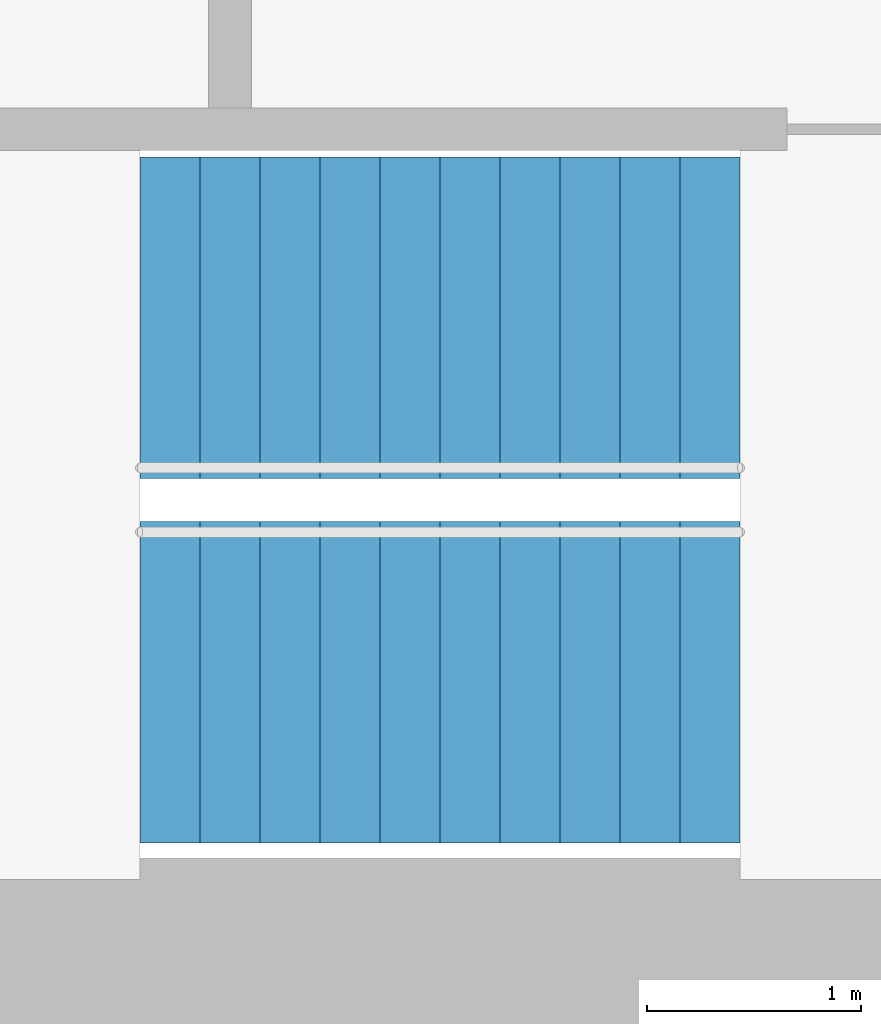
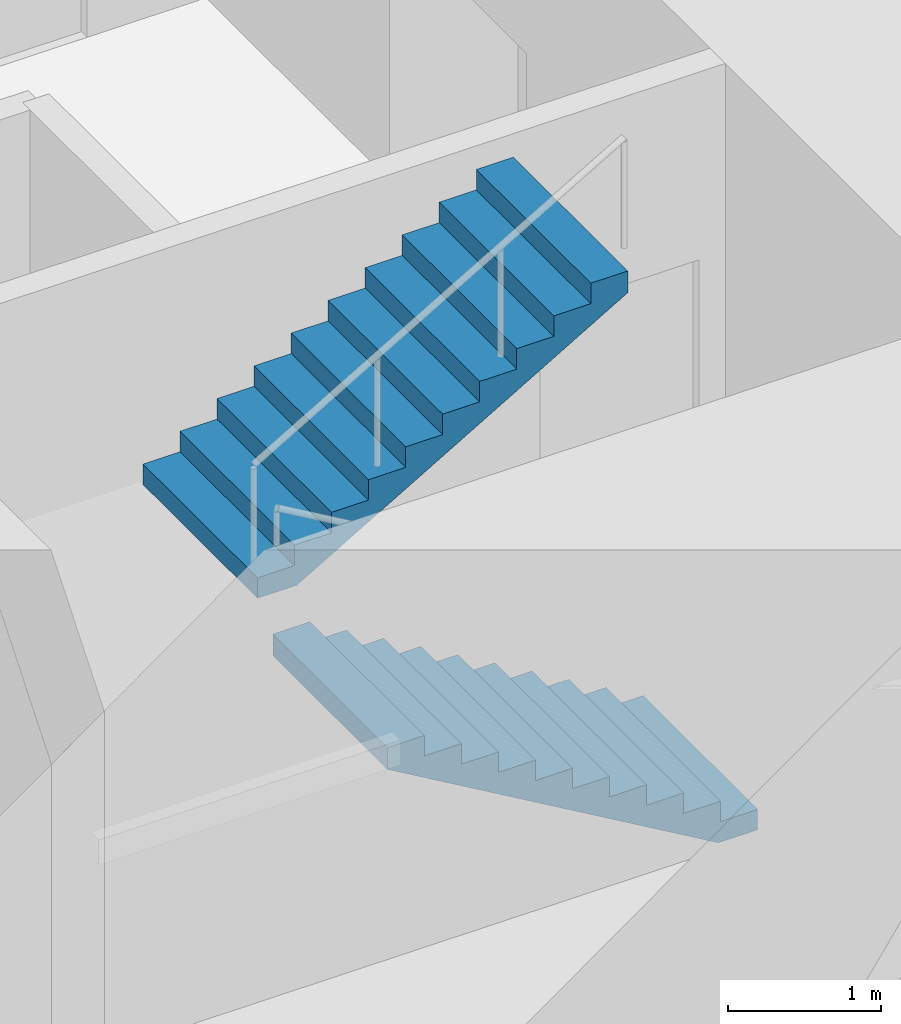
# One storey, part 14 of 15: 2 stair flights, 1 element without a shape of its own.
"""IFC4 building model written with IfcOpenShell, lengths in metres."""

from ifc_helpers import new_model, si_unit, direction, frame, origin, place, context, subcontext, project, spatial, triangles, material, type_object, element, aggregate, save


model = new_model("IFC4")

# Units and contexts
model_context = context("Model", 3, precision=1e-05, world=origin(), true_north=direction((0.0, 1.0)))
body_context = subcontext(model_context, "Body", "Model", "MODEL_VIEW")
ifc_project = project(units=[si_unit("LENGTHUNIT", "METRE"), si_unit("AREAUNIT", "SQUARE_METRE"), si_unit("VOLUMEUNIT", "CUBIC_METRE"), si_unit("PLANEANGLEUNIT", "RADIAN"), si_unit("MASSUNIT", "GRAM", prefix="KILO")], contexts=[model_context])

# Site, building, storey
site_placement = place(None, origin())
site = spatial("IfcSite", under=ifc_project, at=site_placement, CompositionType="ELEMENT")
building_placement = place(site_placement, origin())
building = spatial("IfcBuilding", under=site, at=building_placement, Name="Lantaw Convention Tower", CompositionType="ELEMENT")
storey_placement = place(building_placement, frame((0.0, 0.0, 51.39990234375)))
storey = spatial("IfcBuildingStorey", under=building, at=storey_placement, Name="L10", CompositionType="ELEMENT", Elevation=51.39990234375)

# Stair, stair flights
ifc_material = material(Name="Concrete C35/45", Category="concrete")
stair_type = type_object("IfcStairType", Name="Exit stair 1500 riser 163.64 in 2 flights", PredefinedType="HALF_TURN_STAIR", material=ifc_material)
stair_placement = place(storey_placement, origin())
stair = element("IfcStair", 1, at=stair_placement, inside=storey, type_object=stair_type, Name="Exit stair S2 L10", PredefinedType="HALF_TURN_STAIR")
stair_flight_type = type_object("IfcStairFlightType", Name="Stair flight 1500 riser 163.64", PredefinedType="STRAIGHT", material=ifc_material)
stair_flight_1_placement = place(storey_placement, frame((10.580078125, -5.97998046875, 0.0), z_axis=(0.0, 0.0, 1.0), x_axis=(-1.0, 0.0, 0.0)))
stair_flight_1 = element("IfcStairFlight", 2, at=stair_flight_1_placement, type_object=stair_flight_type, Name="S2 flight 1", NumberOfRisers=11, NumberOfTreads=10, PredefinedType="STRAIGHT", RiserHeight=0.163636364, TreadLength=0.28, context=body_context, shape_type="Tessellation", body=[
    triangles([(0.0, 0.75, 0.0), (0.0, 0.75, 0.163636364), (0.28, 0.75, 0.0), (0.28, 0.75, 0.163636364), (0.28, 0.75, 0.327272728), (0.2970904571225277, 0.75, 0.0), (0.2970904571225277, 0.75, 0.327272728), (0.56, 0.75, 0.1536484344906131), (0.56, 0.75, 0.327272728), (0.56, 0.75, 0.490909092), (0.8400000000000001, 0.75, 0.3172847984906131), (0.8400000000000001, 0.75, 0.490909092), (0.8400000000000001, 0.75, 0.654545456), (1.12, 0.75, 0.4809211624906131), (1.12, 0.75, 0.654545456), (1.12, 0.75, 0.8181818200000001), (1.4000000000000001, 0.75, 0.6445575264906132), (1.4000000000000001, 0.75, 0.8181818200000001), (1.4000000000000001, 0.75, 0.981818184), (1.6800000000000002, 0.75, 0.8081938904906131), (1.6800000000000002, 0.75, 0.981818184), (1.6800000000000002, 0.75, 1.145454548), (1.9600000000000002, 0.75, 0.9718302544906131), (1.9600000000000002, 0.75, 1.145454548), (1.9600000000000002, 0.75, 1.309090912), (2.24, 0.75, 1.135466618490613), (2.24, 0.75, 1.309090912), (2.24, 0.75, 1.472727276), (2.5200000000000005, 0.75, 1.2991029824906133), (2.5200000000000005, 0.75, 1.472727276), (2.5200000000000005, 0.75, 1.6363636400000001), (2.8000000000000003, 0.75, 1.462739346490613), (2.8000000000000003, 0.75, 1.6363636400000001), (0.0, -0.75, 0.0), (0.0, -0.75, 0.163636364), (0.28, -0.75, 0.0), (0.28, -0.75, 0.163636364), (0.28, -0.75, 0.327272728), (0.2970904571225277, -0.75, 0.0), (0.2970904571225277, -0.75, 0.327272728), (0.56, -0.75, 0.1536484344906131), (0.56, -0.75, 0.327272728), (0.56, -0.75, 0.490909092), (0.8400000000000001, -0.75, 0.3172847984906131), (0.8400000000000001, -0.75, 0.490909092), (0.8400000000000001, -0.75, 0.654545456), (1.12, -0.75, 0.4809211624906131), (1.12, -0.75, 0.654545456), (1.12, -0.75, 0.8181818200000001), (1.4000000000000001, -0.75, 0.6445575264906132), (1.4000000000000001, -0.75, 0.8181818200000001), (1.4000000000000001, -0.75, 0.981818184), (1.6800000000000002, -0.75, 0.8081938904906131), (1.6800000000000002, -0.75, 0.981818184), (1.6800000000000002, -0.75, 1.145454548), (1.9600000000000002, -0.75, 0.9718302544906131), (1.9600000000000002, -0.75, 1.145454548), (1.9600000000000002, -0.75, 1.309090912), (2.24, -0.75, 1.135466618490613), (2.24, -0.75, 1.309090912), (2.24, -0.75, 1.472727276), (2.5200000000000005, -0.75, 1.2991029824906133), (2.5200000000000005, -0.75, 1.472727276), (2.5200000000000005, -0.75, 1.6363636400000001), (2.8000000000000003, -0.75, 1.462739346490613), (2.8000000000000003, -0.75, 1.6363636400000001), (0.0, 0.15000000000000002, 0.163636364), (0.0, 0.15000000000000002, 0.0), (0.0, 0.0, 0.163636364), (0.0, 0.0, 0.0), (0.0, -0.15000000000000002, 0.163636364), (0.0, -0.15000000000000002, 0.0), (0.28, 0.15000000000000002, 0.327272728), (0.28, 0.15000000000000002, 0.163636364), (0.28, 0.0, 0.327272728), (0.28, 0.0, 0.163636364), (0.28, -0.15000000000000002, 0.327272728), (0.28, -0.15000000000000002, 0.163636364), (0.56, 0.15000000000000002, 0.490909092), (0.56, 0.15000000000000002, 0.327272728), (0.56, 0.0, 0.490909092), (0.56, 0.0, 0.327272728), (0.56, -0.15000000000000002, 0.490909092), (0.56, -0.15000000000000002, 0.327272728), (0.8400000000000001, 0.15000000000000002, 0.654545456), (0.8400000000000001, 0.15000000000000002, 0.490909092), (0.8400000000000001, 0.0, 0.654545456), (0.8400000000000001, 0.0, 0.490909092), (0.8400000000000001, -0.15000000000000002, 0.654545456), (0.8400000000000001, -0.15000000000000002, 0.490909092), (1.12, 0.15000000000000002, 0.8181818200000001), (1.12, 0.15000000000000002, 0.654545456), (1.12, 0.0, 0.8181818200000001), (1.12, 0.0, 0.654545456), (1.12, -0.15000000000000002, 0.8181818200000001), (1.12, -0.15000000000000002, 0.654545456), (1.4000000000000001, 0.15000000000000002, 0.981818184), (1.4000000000000001, 0.15000000000000002, 0.8181818200000001), (1.4000000000000001, 0.0, 0.981818184), (1.4000000000000001, 0.0, 0.8181818200000001), (1.4000000000000001, -0.15000000000000002, 0.981818184), (1.4000000000000001, -0.15000000000000002, 0.8181818200000001), (1.6800000000000002, 0.15000000000000002, 1.145454548), (1.6800000000000002, 0.15000000000000002, 0.981818184), (1.6800000000000002, 0.0, 1.145454548), (1.6800000000000002, 0.0, 0.981818184), (1.6800000000000002, -0.15000000000000002, 1.145454548), (1.6800000000000002, -0.15000000000000002, 0.981818184), (1.9600000000000002, 0.15000000000000002, 1.309090912), (1.9600000000000002, 0.15000000000000002, 1.145454548), (1.9600000000000002, 0.0, 1.309090912), (1.9600000000000002, 0.0, 1.145454548), (1.9600000000000002, -0.15000000000000002, 1.309090912), (1.9600000000000002, -0.15000000000000002, 1.145454548), (2.24, 0.15000000000000002, 1.472727276), (2.24, 0.15000000000000002, 1.309090912), (2.24, 0.0, 1.472727276), (2.24, 0.0, 1.309090912), (2.24, -0.15000000000000002, 1.472727276), (2.24, -0.15000000000000002, 1.309090912), (2.5200000000000005, 0.15000000000000002, 1.6363636400000001), (2.5200000000000005, 0.15000000000000002, 1.472727276), (2.5200000000000005, 0.0, 1.6363636400000001), (2.5200000000000005, 0.0, 1.472727276), (2.5200000000000005, -0.15000000000000002, 1.6363636400000001), (2.5200000000000005, -0.15000000000000002, 1.472727276), (0.2970904571225277, 0.15000000000000002, 0.327272728), (0.2970904571225277, 0.0, 0.327272728), (0.2970904571225277, -0.15000000000000002, 0.327272728), (2.8000000000000003, 0.15000000000000002, 1.6363636400000001), (2.8000000000000003, 0.0, 1.6363636400000001), (2.8000000000000003, -0.15000000000000002, 1.6363636400000001), (2.8000000000000003, 0.15000000000000002, 1.462739346490613), (2.8000000000000003, 0.0, 1.462739346490613), (2.8000000000000003, -0.15000000000000002, 1.462739346490613), (2.5200000000000005, 0.15000000000000002, 1.2991029824906133), (2.5200000000000005, 0.0, 1.2991029824906133), (2.5200000000000005, -0.15000000000000002, 1.2991029824906133), (2.24, 0.15000000000000002, 1.135466618490613), (2.24, 0.0, 1.135466618490613), (2.24, -0.15000000000000002, 1.135466618490613), (1.9600000000000002, 0.15000000000000002, 0.9718302544906131), (1.9600000000000002, 0.0, 0.9718302544906131), (1.9600000000000002, -0.15000000000000002, 0.9718302544906131), (1.6800000000000002, 0.15000000000000002, 0.8081938904906131), (1.6800000000000002, 0.0, 0.8081938904906131), (1.6800000000000002, -0.15000000000000002, 0.8081938904906131), (1.4000000000000001, 0.15000000000000002, 0.6445575264906132), (1.4000000000000001, 0.0, 0.6445575264906132), (1.4000000000000001, -0.15000000000000002, 0.6445575264906132), (1.12, 0.15000000000000002, 0.4809211624906131), (1.12, 0.0, 0.4809211624906131), (1.12, -0.15000000000000002, 0.4809211624906131), (0.8400000000000001, 0.15000000000000002, 0.3172847984906131), (0.8400000000000001, 0.0, 0.3172847984906131), (0.8400000000000001, -0.15000000000000002, 0.3172847984906131), (0.56, 0.15000000000000002, 0.1536484344906131), (0.56, 0.0, 0.1536484344906131), (0.56, -0.15000000000000002, 0.1536484344906131), (0.2970904571225277, 0.15000000000000002, 0.0), (0.2970904571225277, 0.0, 0.0), (0.2970904571225277, -0.15000000000000002, 0.0), (0.28, 0.15000000000000002, 0.0), (0.28, 0.0, 0.0), (0.28, -0.15000000000000002, 0.0)], [[1, 4, 3], [1, 2, 4], [3, 4, 6], [4, 7, 6], [4, 5, 7], [6, 9, 8], [6, 7, 9], [8, 9, 11], [9, 12, 11], [9, 10, 12], [11, 12, 14], [12, 15, 14], [12, 13, 15], [14, 15, 17], [15, 18, 17], [15, 16, 18], [17, 18, 20], [18, 21, 20], [18, 19, 21], [20, 21, 23], [21, 24, 23], [21, 22, 24], [23, 24, 26], [24, 27, 26], [24, 25, 27], [26, 27, 29], [27, 30, 29], [27, 28, 30], [29, 30, 32], [30, 33, 32], [30, 31, 33], [34, 36, 37], [34, 37, 35], [36, 39, 37], [37, 39, 40], [37, 40, 38], [39, 41, 42], [39, 42, 40], [41, 44, 42], [42, 44, 45], [42, 45, 43], [44, 47, 45], [45, 47, 48], [45, 48, 46], [47, 50, 48], [48, 50, 51], [48, 51, 49], [50, 53, 51], [51, 53, 54], [51, 54, 52], [53, 56, 54], [54, 56, 57], [54, 57, 55], [56, 59, 57], [57, 59, 60], [57, 60, 58], [59, 62, 60], [60, 62, 63], [60, 63, 61], [62, 65, 63], [63, 65, 66], [63, 66, 64], [1, 67, 2], [1, 68, 67], [68, 69, 67], [68, 70, 69], [70, 71, 69], [70, 72, 71], [72, 35, 71], [72, 34, 35], [4, 73, 5], [4, 74, 73], [74, 75, 73], [74, 76, 75], [76, 77, 75], [76, 78, 77], [78, 38, 77], [78, 37, 38], [9, 79, 10], [9, 80, 79], [80, 81, 79], [80, 82, 81], [82, 83, 81], [82, 84, 83], [84, 43, 83], [84, 42, 43], [12, 85, 13], [12, 86, 85], [86, 87, 85], [86, 88, 87], [88, 89, 87], [88, 90, 89], [90, 46, 89], [90, 45, 46], [15, 91, 16], [15, 92, 91], [92, 93, 91], [92, 94, 93], [94, 95, 93], [94, 96, 95], [96, 49, 95], [96, 48, 49], [18, 97, 19], [18, 98, 97], [98, 99, 97], [98, 100, 99], [100, 101, 99], [100, 102, 101], [102, 52, 101], [102, 51, 52], [21, 103, 22], [21, 104, 103], [104, 105, 103], [104, 106, 105], [106, 107, 105], [106, 108, 107], [108, 55, 107], [108, 54, 55], [24, 109, 25], [24, 110, 109], [110, 111, 109], [110, 112, 111], [112, 113, 111], [112, 114, 113], [114, 58, 113], [114, 57, 58], [27, 115, 28], [27, 116, 115], [116, 117, 115], [116, 118, 117], [118, 119, 117], [118, 120, 119], [120, 61, 119], [120, 60, 61], [30, 121, 31], [30, 122, 121], [122, 123, 121], [122, 124, 123], [124, 125, 123], [124, 126, 125], [126, 64, 125], [126, 63, 64], [2, 74, 4], [2, 67, 74], [67, 76, 74], [67, 69, 76], [69, 78, 76], [69, 71, 78], [71, 37, 78], [71, 35, 37], [5, 127, 7], [5, 73, 127], [73, 128, 127], [73, 75, 128], [75, 129, 128], [75, 77, 129], [77, 40, 129], [77, 38, 40], [7, 80, 9], [7, 127, 80], [127, 82, 80], [127, 128, 82], [128, 84, 82], [128, 129, 84], [129, 42, 84], [129, 40, 42], [10, 86, 12], [10, 79, 86], [79, 88, 86], [79, 81, 88], [81, 90, 88], [81, 83, 90], [83, 45, 90], [83, 43, 45], [13, 92, 15], [13, 85, 92], [85, 94, 92], [85, 87, 94], [87, 96, 94], [87, 89, 96], [89, 48, 96], [89, 46, 48], [16, 98, 18], [16, 91, 98], [91, 100, 98], [91, 93, 100], [93, 102, 100], [93, 95, 102], [95, 51, 102], [95, 49, 51], [19, 104, 21], [19, 97, 104], [97, 106, 104], [97, 99, 106], [99, 108, 106], [99, 101, 108], [101, 54, 108], [101, 52, 54], [22, 110, 24], [22, 103, 110], [103, 112, 110], [103, 105, 112], [105, 114, 112], [105, 107, 114], [107, 57, 114], [107, 55, 57], [25, 116, 27], [25, 109, 116], [109, 118, 116], [109, 111, 118], [111, 120, 118], [111, 113, 120], [113, 60, 120], [113, 58, 60], [28, 122, 30], [28, 115, 122], [115, 124, 122], [115, 117, 124], [117, 126, 124], [117, 119, 126], [119, 63, 126], [119, 61, 63], [31, 130, 33], [31, 121, 130], [121, 131, 130], [121, 123, 131], [123, 132, 131], [123, 125, 132], [125, 66, 132], [125, 64, 66], [33, 133, 32], [33, 130, 133], [130, 134, 133], [130, 131, 134], [131, 135, 134], [131, 132, 135], [132, 65, 135], [132, 66, 65], [32, 136, 29], [32, 133, 136], [133, 137, 136], [133, 134, 137], [134, 138, 137], [134, 135, 138], [135, 62, 138], [135, 65, 62], [29, 139, 26], [29, 136, 139], [136, 140, 139], [136, 137, 140], [137, 141, 140], [137, 138, 141], [138, 59, 141], [138, 62, 59], [26, 142, 23], [26, 139, 142], [139, 143, 142], [139, 140, 143], [140, 144, 143], [140, 141, 144], [141, 56, 144], [141, 59, 56], [23, 145, 20], [23, 142, 145], [142, 146, 145], [142, 143, 146], [143, 147, 146], [143, 144, 147], [144, 53, 147], [144, 56, 53], [20, 148, 17], [20, 145, 148], [145, 149, 148], [145, 146, 149], [146, 150, 149], [146, 147, 150], [147, 50, 150], [147, 53, 50], [17, 151, 14], [17, 148, 151], [148, 152, 151], [148, 149, 152], [149, 153, 152], [149, 150, 153], [150, 47, 153], [150, 50, 47], [14, 154, 11], [14, 151, 154], [151, 155, 154], [151, 152, 155], [152, 156, 155], [152, 153, 156], [153, 44, 156], [153, 47, 44], [11, 157, 8], [11, 154, 157], [154, 158, 157], [154, 155, 158], [155, 159, 158], [155, 156, 159], [156, 41, 159], [156, 44, 41], [8, 160, 6], [8, 157, 160], [157, 161, 160], [157, 158, 161], [158, 162, 161], [158, 159, 162], [159, 39, 162], [159, 41, 39], [6, 163, 3], [6, 160, 163], [160, 164, 163], [160, 161, 164], [161, 165, 164], [161, 162, 165], [162, 36, 165], [162, 39, 36], [3, 68, 1], [3, 163, 68], [163, 70, 68], [163, 164, 70], [164, 72, 70], [164, 165, 72], [165, 34, 72], [165, 36, 34]], closed=True),
])
stair_flight_2_placement = place(storey_placement, frame((7.780029296875, -4.280029296875, 1.800048828125), z_axis=(0.0, 0.0, 1.0), x_axis=(1.0, 0.0, 0.0)))
stair_flight_2 = element("IfcStairFlight", 3, at=stair_flight_2_placement, type_object=stair_flight_type, Name="S2 flight 2", NumberOfRisers=11, NumberOfTreads=10, PredefinedType="STRAIGHT", RiserHeight=0.163636364, TreadLength=0.28, context=body_context, shape_type="Tessellation", body=[
    triangles([(0.0, 0.75, 0.0), (0.0, 0.75, 0.163636364), (0.28, 0.75, 0.0), (0.28, 0.75, 0.163636364), (0.28, 0.75, 0.327272728), (0.2970904571225277, 0.75, 0.0), (0.2970904571225277, 0.75, 0.327272728), (0.56, 0.75, 0.1536484344906131), (0.56, 0.75, 0.327272728), (0.56, 0.75, 0.490909092), (0.8400000000000001, 0.75, 0.3172847984906131), (0.8400000000000001, 0.75, 0.490909092), (0.8400000000000001, 0.75, 0.654545456), (1.12, 0.75, 0.4809211624906131), (1.12, 0.75, 0.654545456), (1.12, 0.75, 0.8181818200000001), (1.4000000000000001, 0.75, 0.6445575264906132), (1.4000000000000001, 0.75, 0.8181818200000001), (1.4000000000000001, 0.75, 0.981818184), (1.6800000000000002, 0.75, 0.8081938904906131), (1.6800000000000002, 0.75, 0.981818184), (1.6800000000000002, 0.75, 1.145454548), (1.9600000000000002, 0.75, 0.9718302544906131), (1.9600000000000002, 0.75, 1.145454548), (1.9600000000000002, 0.75, 1.309090912), (2.24, 0.75, 1.135466618490613), (2.24, 0.75, 1.309090912), (2.24, 0.75, 1.472727276), (2.5200000000000005, 0.75, 1.2991029824906133), (2.5200000000000005, 0.75, 1.472727276), (2.5200000000000005, 0.75, 1.6363636400000001), (2.8000000000000003, 0.75, 1.462739346490613), (2.8000000000000003, 0.75, 1.6363636400000001), (0.0, -0.75, 0.0), (0.0, -0.75, 0.163636364), (0.28, -0.75, 0.0), (0.28, -0.75, 0.163636364), (0.28, -0.75, 0.327272728), (0.2970904571225277, -0.75, 0.0), (0.2970904571225277, -0.75, 0.327272728), (0.56, -0.75, 0.1536484344906131), (0.56, -0.75, 0.327272728), (0.56, -0.75, 0.490909092), (0.8400000000000001, -0.75, 0.3172847984906131), (0.8400000000000001, -0.75, 0.490909092), (0.8400000000000001, -0.75, 0.654545456), (1.12, -0.75, 0.4809211624906131), (1.12, -0.75, 0.654545456), (1.12, -0.75, 0.8181818200000001), (1.4000000000000001, -0.75, 0.6445575264906132), (1.4000000000000001, -0.75, 0.8181818200000001), (1.4000000000000001, -0.75, 0.981818184), (1.6800000000000002, -0.75, 0.8081938904906131), (1.6800000000000002, -0.75, 0.981818184), (1.6800000000000002, -0.75, 1.145454548), (1.9600000000000002, -0.75, 0.9718302544906131), (1.9600000000000002, -0.75, 1.145454548), (1.9600000000000002, -0.75, 1.309090912), (2.24, -0.75, 1.135466618490613), (2.24, -0.75, 1.309090912), (2.24, -0.75, 1.472727276), (2.5200000000000005, -0.75, 1.2991029824906133), (2.5200000000000005, -0.75, 1.472727276), (2.5200000000000005, -0.75, 1.6363636400000001), (2.8000000000000003, -0.75, 1.462739346490613), (2.8000000000000003, -0.75, 1.6363636400000001), (0.0, 0.15000000000000002, 0.163636364), (0.0, 0.15000000000000002, 0.0), (0.0, 0.0, 0.163636364), (0.0, 0.0, 0.0), (0.0, -0.15000000000000002, 0.163636364), (0.0, -0.15000000000000002, 0.0), (0.28, 0.15000000000000002, 0.327272728), (0.28, 0.15000000000000002, 0.163636364), (0.28, 0.0, 0.327272728), (0.28, 0.0, 0.163636364), (0.28, -0.15000000000000002, 0.327272728), (0.28, -0.15000000000000002, 0.163636364), (0.56, 0.15000000000000002, 0.490909092), (0.56, 0.15000000000000002, 0.327272728), (0.56, 0.0, 0.490909092), (0.56, 0.0, 0.327272728), (0.56, -0.15000000000000002, 0.490909092), (0.56, -0.15000000000000002, 0.327272728), (0.8400000000000001, 0.15000000000000002, 0.654545456), (0.8400000000000001, 0.15000000000000002, 0.490909092), (0.8400000000000001, 0.0, 0.654545456), (0.8400000000000001, 0.0, 0.490909092), (0.8400000000000001, -0.15000000000000002, 0.654545456), (0.8400000000000001, -0.15000000000000002, 0.490909092), (1.12, 0.15000000000000002, 0.8181818200000001), (1.12, 0.15000000000000002, 0.654545456), (1.12, 0.0, 0.8181818200000001), (1.12, 0.0, 0.654545456), (1.12, -0.15000000000000002, 0.8181818200000001), (1.12, -0.15000000000000002, 0.654545456), (1.4000000000000001, 0.15000000000000002, 0.981818184), (1.4000000000000001, 0.15000000000000002, 0.8181818200000001), (1.4000000000000001, 0.0, 0.981818184), (1.4000000000000001, 0.0, 0.8181818200000001), (1.4000000000000001, -0.15000000000000002, 0.981818184), (1.4000000000000001, -0.15000000000000002, 0.8181818200000001), (1.6800000000000002, 0.15000000000000002, 1.145454548), (1.6800000000000002, 0.15000000000000002, 0.981818184), (1.6800000000000002, 0.0, 1.145454548), (1.6800000000000002, 0.0, 0.981818184), (1.6800000000000002, -0.15000000000000002, 1.145454548), (1.6800000000000002, -0.15000000000000002, 0.981818184), (1.9600000000000002, 0.15000000000000002, 1.309090912), (1.9600000000000002, 0.15000000000000002, 1.145454548), (1.9600000000000002, 0.0, 1.309090912), (1.9600000000000002, 0.0, 1.145454548), (1.9600000000000002, -0.15000000000000002, 1.309090912), (1.9600000000000002, -0.15000000000000002, 1.145454548), (2.24, 0.15000000000000002, 1.472727276), (2.24, 0.15000000000000002, 1.309090912), (2.24, 0.0, 1.472727276), (2.24, 0.0, 1.309090912), (2.24, -0.15000000000000002, 1.472727276), (2.24, -0.15000000000000002, 1.309090912), (2.5200000000000005, 0.15000000000000002, 1.6363636400000001), (2.5200000000000005, 0.15000000000000002, 1.472727276), (2.5200000000000005, 0.0, 1.6363636400000001), (2.5200000000000005, 0.0, 1.472727276), (2.5200000000000005, -0.15000000000000002, 1.6363636400000001), (2.5200000000000005, -0.15000000000000002, 1.472727276), (0.2970904571225277, 0.15000000000000002, 0.327272728), (0.2970904571225277, 0.0, 0.327272728), (0.2970904571225277, -0.15000000000000002, 0.327272728), (2.8000000000000003, 0.15000000000000002, 1.6363636400000001), (2.8000000000000003, 0.0, 1.6363636400000001), (2.8000000000000003, -0.15000000000000002, 1.6363636400000001), (2.8000000000000003, 0.15000000000000002, 1.462739346490613), (2.8000000000000003, 0.0, 1.462739346490613), (2.8000000000000003, -0.15000000000000002, 1.462739346490613), (2.5200000000000005, 0.15000000000000002, 1.2991029824906133), (2.5200000000000005, 0.0, 1.2991029824906133), (2.5200000000000005, -0.15000000000000002, 1.2991029824906133), (2.24, 0.15000000000000002, 1.135466618490613), (2.24, 0.0, 1.135466618490613), (2.24, -0.15000000000000002, 1.135466618490613), (1.9600000000000002, 0.15000000000000002, 0.9718302544906131), (1.9600000000000002, 0.0, 0.9718302544906131), (1.9600000000000002, -0.15000000000000002, 0.9718302544906131), (1.6800000000000002, 0.15000000000000002, 0.8081938904906131), (1.6800000000000002, 0.0, 0.8081938904906131), (1.6800000000000002, -0.15000000000000002, 0.8081938904906131), (1.4000000000000001, 0.15000000000000002, 0.6445575264906132), (1.4000000000000001, 0.0, 0.6445575264906132), (1.4000000000000001, -0.15000000000000002, 0.6445575264906132), (1.12, 0.15000000000000002, 0.4809211624906131), (1.12, 0.0, 0.4809211624906131), (1.12, -0.15000000000000002, 0.4809211624906131), (0.8400000000000001, 0.15000000000000002, 0.3172847984906131), (0.8400000000000001, 0.0, 0.3172847984906131), (0.8400000000000001, -0.15000000000000002, 0.3172847984906131), (0.56, 0.15000000000000002, 0.1536484344906131), (0.56, 0.0, 0.1536484344906131), (0.56, -0.15000000000000002, 0.1536484344906131), (0.2970904571225277, 0.15000000000000002, 0.0), (0.2970904571225277, 0.0, 0.0), (0.2970904571225277, -0.15000000000000002, 0.0), (0.28, 0.15000000000000002, 0.0), (0.28, 0.0, 0.0), (0.28, -0.15000000000000002, 0.0)], [[1, 4, 3], [1, 2, 4], [3, 4, 6], [4, 7, 6], [4, 5, 7], [6, 9, 8], [6, 7, 9], [8, 9, 11], [9, 12, 11], [9, 10, 12], [11, 12, 14], [12, 15, 14], [12, 13, 15], [14, 15, 17], [15, 18, 17], [15, 16, 18], [17, 18, 20], [18, 21, 20], [18, 19, 21], [20, 21, 23], [21, 24, 23], [21, 22, 24], [23, 24, 26], [24, 27, 26], [24, 25, 27], [26, 27, 29], [27, 30, 29], [27, 28, 30], [29, 30, 32], [30, 33, 32], [30, 31, 33], [34, 36, 37], [34, 37, 35], [36, 39, 37], [37, 39, 40], [37, 40, 38], [39, 41, 42], [39, 42, 40], [41, 44, 42], [42, 44, 45], [42, 45, 43], [44, 47, 45], [45, 47, 48], [45, 48, 46], [47, 50, 48], [48, 50, 51], [48, 51, 49], [50, 53, 51], [51, 53, 54], [51, 54, 52], [53, 56, 54], [54, 56, 57], [54, 57, 55], [56, 59, 57], [57, 59, 60], [57, 60, 58], [59, 62, 60], [60, 62, 63], [60, 63, 61], [62, 65, 63], [63, 65, 66], [63, 66, 64], [1, 67, 2], [1, 68, 67], [68, 69, 67], [68, 70, 69], [70, 71, 69], [70, 72, 71], [72, 35, 71], [72, 34, 35], [4, 73, 5], [4, 74, 73], [74, 75, 73], [74, 76, 75], [76, 77, 75], [76, 78, 77], [78, 38, 77], [78, 37, 38], [9, 79, 10], [9, 80, 79], [80, 81, 79], [80, 82, 81], [82, 83, 81], [82, 84, 83], [84, 43, 83], [84, 42, 43], [12, 85, 13], [12, 86, 85], [86, 87, 85], [86, 88, 87], [88, 89, 87], [88, 90, 89], [90, 46, 89], [90, 45, 46], [15, 91, 16], [15, 92, 91], [92, 93, 91], [92, 94, 93], [94, 95, 93], [94, 96, 95], [96, 49, 95], [96, 48, 49], [18, 97, 19], [18, 98, 97], [98, 99, 97], [98, 100, 99], [100, 101, 99], [100, 102, 101], [102, 52, 101], [102, 51, 52], [21, 103, 22], [21, 104, 103], [104, 105, 103], [104, 106, 105], [106, 107, 105], [106, 108, 107], [108, 55, 107], [108, 54, 55], [24, 109, 25], [24, 110, 109], [110, 111, 109], [110, 112, 111], [112, 113, 111], [112, 114, 113], [114, 58, 113], [114, 57, 58], [27, 115, 28], [27, 116, 115], [116, 117, 115], [116, 118, 117], [118, 119, 117], [118, 120, 119], [120, 61, 119], [120, 60, 61], [30, 121, 31], [30, 122, 121], [122, 123, 121], [122, 124, 123], [124, 125, 123], [124, 126, 125], [126, 64, 125], [126, 63, 64], [2, 74, 4], [2, 67, 74], [67, 76, 74], [67, 69, 76], [69, 78, 76], [69, 71, 78], [71, 37, 78], [71, 35, 37], [5, 127, 7], [5, 73, 127], [73, 128, 127], [73, 75, 128], [75, 129, 128], [75, 77, 129], [77, 40, 129], [77, 38, 40], [7, 80, 9], [7, 127, 80], [127, 82, 80], [127, 128, 82], [128, 84, 82], [128, 129, 84], [129, 42, 84], [129, 40, 42], [10, 86, 12], [10, 79, 86], [79, 88, 86], [79, 81, 88], [81, 90, 88], [81, 83, 90], [83, 45, 90], [83, 43, 45], [13, 92, 15], [13, 85, 92], [85, 94, 92], [85, 87, 94], [87, 96, 94], [87, 89, 96], [89, 48, 96], [89, 46, 48], [16, 98, 18], [16, 91, 98], [91, 100, 98], [91, 93, 100], [93, 102, 100], [93, 95, 102], [95, 51, 102], [95, 49, 51], [19, 104, 21], [19, 97, 104], [97, 106, 104], [97, 99, 106], [99, 108, 106], [99, 101, 108], [101, 54, 108], [101, 52, 54], [22, 110, 24], [22, 103, 110], [103, 112, 110], [103, 105, 112], [105, 114, 112], [105, 107, 114], [107, 57, 114], [107, 55, 57], [25, 116, 27], [25, 109, 116], [109, 118, 116], [109, 111, 118], [111, 120, 118], [111, 113, 120], [113, 60, 120], [113, 58, 60], [28, 122, 30], [28, 115, 122], [115, 124, 122], [115, 117, 124], [117, 126, 124], [117, 119, 126], [119, 63, 126], [119, 61, 63], [31, 130, 33], [31, 121, 130], [121, 131, 130], [121, 123, 131], [123, 132, 131], [123, 125, 132], [125, 66, 132], [125, 64, 66], [33, 133, 32], [33, 130, 133], [130, 134, 133], [130, 131, 134], [131, 135, 134], [131, 132, 135], [132, 65, 135], [132, 66, 65], [32, 136, 29], [32, 133, 136], [133, 137, 136], [133, 134, 137], [134, 138, 137], [134, 135, 138], [135, 62, 138], [135, 65, 62], [29, 139, 26], [29, 136, 139], [136, 140, 139], [136, 137, 140], [137, 141, 140], [137, 138, 141], [138, 59, 141], [138, 62, 59], [26, 142, 23], [26, 139, 142], [139, 143, 142], [139, 140, 143], [140, 144, 143], [140, 141, 144], [141, 56, 144], [141, 59, 56], [23, 145, 20], [23, 142, 145], [142, 146, 145], [142, 143, 146], [143, 147, 146], [143, 144, 147], [144, 53, 147], [144, 56, 53], [20, 148, 17], [20, 145, 148], [145, 149, 148], [145, 146, 149], [146, 150, 149], [146, 147, 150], [147, 50, 150], [147, 53, 50], [17, 151, 14], [17, 148, 151], [148, 152, 151], [148, 149, 152], [149, 153, 152], [149, 150, 153], [150, 47, 153], [150, 50, 47], [14, 154, 11], [14, 151, 154], [151, 155, 154], [151, 152, 155], [152, 156, 155], [152, 153, 156], [153, 44, 156], [153, 47, 44], [11, 157, 8], [11, 154, 157], [154, 158, 157], [154, 155, 158], [155, 159, 158], [155, 156, 159], [156, 41, 159], [156, 44, 41], [8, 160, 6], [8, 157, 160], [157, 161, 160], [157, 158, 161], [158, 162, 161], [158, 159, 162], [159, 39, 162], [159, 41, 39], [6, 163, 3], [6, 160, 163], [160, 164, 163], [160, 161, 164], [161, 165, 164], [161, 162, 165], [162, 36, 165], [162, 39, 36], [3, 68, 1], [3, 163, 68], [163, 70, 68], [163, 164, 70], [164, 72, 70], [164, 165, 72], [165, 34, 72], [165, 36, 34]], closed=True),
])
aggregate(stair, [stair_flight_1, stair_flight_2])

save(model, "model.ifc")
